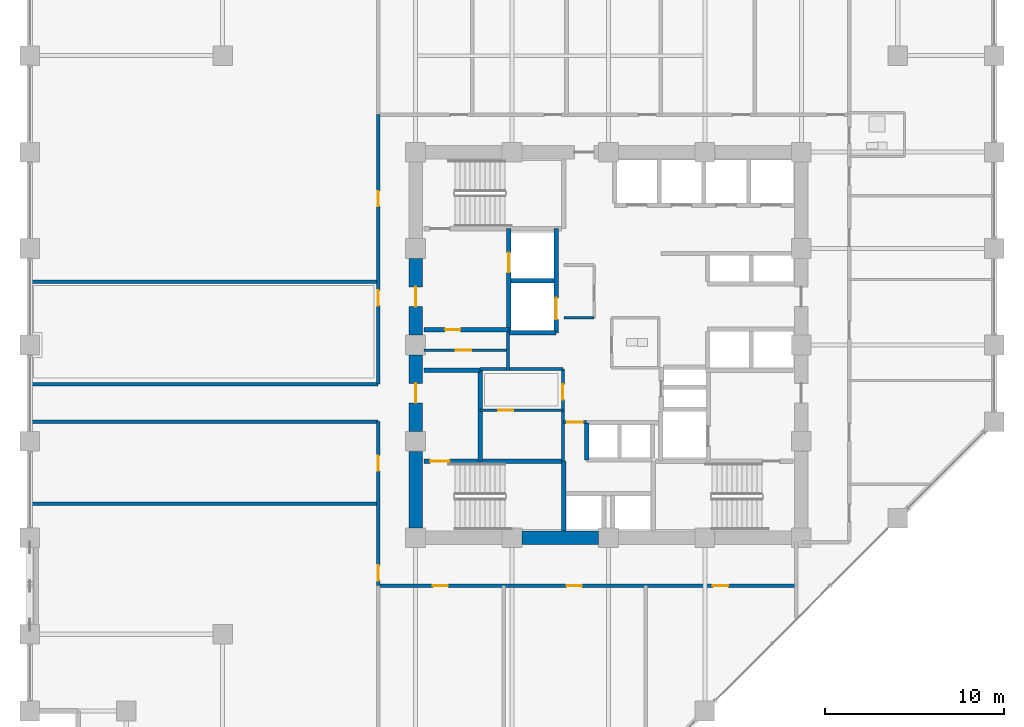
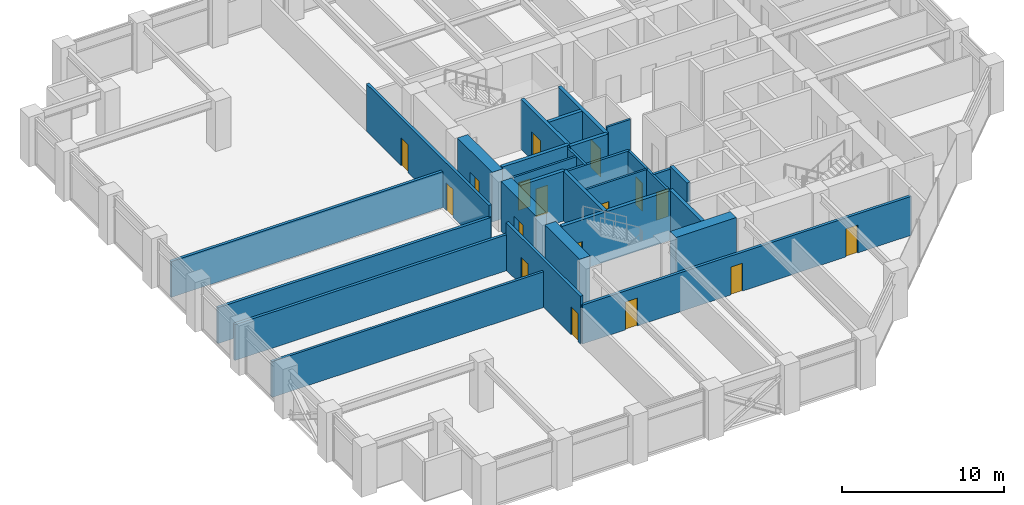
# One storey, part 19 of 25: 28 walls, 17 doors, 17 openings.
"""IFC4 building model written with IfcOpenShell, lengths in metres."""

from ifc_helpers import new_model, si_unit, direction, frame, frame_2d, origin, place, context, subcontext, project, spatial, rectangle, extrude, material, layer, layer_set, type_object, element, fill, save


model = new_model("IFC4")

# Units and contexts
model_context = context("Model", 3, precision=1e-05, world=origin(), true_north=direction((0.0, 1.0)))
body_context = subcontext(model_context, "Body", "Model", "MODEL_VIEW")
ifc_project = project(units=[si_unit("LENGTHUNIT", "METRE"), si_unit("AREAUNIT", "SQUARE_METRE"), si_unit("VOLUMEUNIT", "CUBIC_METRE"), si_unit("PLANEANGLEUNIT", "RADIAN"), si_unit("MASSUNIT", "GRAM", prefix="KILO")], contexts=[model_context])

# Site, building, storey
site_placement = place(None, origin())
site = spatial("IfcSite", under=ifc_project, at=site_placement, CompositionType="ELEMENT")
building_placement = place(site_placement, origin())
building = spatial("IfcBuilding", under=site, at=building_placement, Name="Surkhivell Harbour Commons", CompositionType="ELEMENT")
storey_placement = place(building_placement, frame((0.0, 0.0, 124.5)))
storey = spatial("IfcBuildingStorey", under=building, at=storey_placement, Name="L32", CompositionType="ELEMENT", Elevation=124.5)

# Walls
ifc_material_1 = material(Name="Concrete C60/75", Category="concrete")
ifc_layer_1 = layer(ifc_material_1, 0.75)
ifc_layer_set_1 = layer_set([ifc_layer_1], Name="Concrete C60/75")
wall_type_1 = type_object("IfcWallType", Name="WAL-CORE-750", PredefinedType="SHEAR", material=ifc_layer_set_1)
for number, where, z_axis, x_axis, name in (
    (1, (-10.800048828125, -10.239990234375, 0.0), (0.0, 0.0, 1.0), (0.0, 1.0, 0.0), "L32 Core Shear Wall West 1"),
    (2, (-4.840087890625, -10.800048828125, 0.0), (0.0, 0.0, 1.0), (1.0, 0.0, 0.0), "L32 Core Shear Wall South 2"),
):
    element("IfcWall", number, at=place(storey_placement, frame(where, z_axis=z_axis, x_axis=x_axis)), inside=storey, type_object=wall_type_1, Name=name, PredefinedType="SHEAR", context=body_context, shape_type="SweptSolid", body=[
        extrude(rectangle(XDim=4.280029296875, YDim=0.75, at=frame_2d((2.14013671875, 0.0))), origin(), (0.0, 0.0, 1.0), 3.75),
    ])

# Wall, opening, door
wall_1_placement = place(storey_placement, frame((-10.800048828125, -4.840087890625, 0.0), z_axis=(0.0, 0.0, 1.0), x_axis=(0.0, 1.0, 0.0)))
wall_1 = element("IfcWall", 3, at=wall_1_placement, inside=storey, type_object=wall_type_1, Name="L32 Core Shear Wall West 2", PredefinedType="SHEAR", context=body_context, shape_type="SweptSolid", body=[
    extrude(rectangle(XDim=4.280029296875, YDim=0.75, at=frame_2d((2.14013671875, 0.0))), origin(), (0.0, 0.0, 1.0), 3.75),
])
opening_1_placement = place(wall_1_placement, frame((1.590087890625, 0.0, 0.0)))
opening_1 = element("IfcOpeningElement", 4, at=opening_1_placement, cuts=wall_1, Name="Opening ID-2", PredefinedType="OPENING", context=body_context, shape_type="SweptSolid", body=[
    extrude(rectangle(XDim=1.10009765625, YDim=2.10009765625, at=frame_2d((0.550048828125, 1.050048828125))), frame((0.0, 0.385009765625, 0.0), z_axis=(0.0, -1.0, 0.0), x_axis=(1.0, 0.0, 0.0)), (0.0, 0.0, 1.0), 0.77001953125),
])
ifc_material_2 = material(Name="Hardwood-veneered fire-rated door leaf", Category="wood")
door_type_1 = type_object("IfcDoorType", Name="DOR-FD60-1100", OperationType="NOTDEFINED", PredefinedType="DOOR", material=ifc_material_2)
door_1_placement = place(opening_1_placement, origin())
door_1 = element("IfcDoor", 5, at=door_1_placement, inside=storey, type_object=door_type_1, Name="L32 Stair 3 Lobby Corridor Door", OperationType="SINGLE_SWING_LEFT", OverallHeight=2.10009765625, OverallWidth=1.10009765625, PredefinedType="DOOR", context=body_context, shape_type="SweptSolid", body=[
    extrude(rectangle(XDim=1.10009765625, YDim=2.10009765625, at=frame_2d((0.550048828125, 1.050048828125))), frame((0.0, 0.02490234375, 0.0), z_axis=(0.0, -1.0, 0.0), x_axis=(1.0, 0.0, 0.0)), (0.0, 0.0, 1.0), 0.050048828125),
])
fill(opening_1, door_1)

wall_2_placement = place(storey_placement, frame((-10.800048828125, 0.56005859375, 0.0), z_axis=(0.0, 0.0, 1.0), x_axis=(0.0, 1.0, 0.0)))
wall_2 = element("IfcWall", 6, at=wall_2_placement, inside=storey, type_object=wall_type_1, Name="L32 Core Shear Wall West 3", PredefinedType="SHEAR", context=body_context, shape_type="SweptSolid", body=[
    extrude(rectangle(XDim=4.280029296875, YDim=0.75, at=frame_2d((2.14013671875, 0.0))), origin(), (0.0, 0.0, 1.0), 3.75),
])
opening_2_placement = place(wall_2_placement, frame((1.590087890625, 0.0, 0.0)))
opening_2 = element("IfcOpeningElement", 7, at=opening_2_placement, cuts=wall_2, Name="Opening ID-1", PredefinedType="OPENING", context=body_context, shape_type="SweptSolid", body=[
    extrude(rectangle(XDim=1.10009765625, YDim=2.10009765625, at=frame_2d((0.550048828125, 1.050048828125))), frame((0.0, 0.385009765625, 0.0), z_axis=(0.0, -1.0, 0.0), x_axis=(1.0, 0.0, 0.0)), (0.0, 0.0, 1.0), 0.77001953125),
])
door_type_2 = type_object("IfcDoorType", Name="DOR-FD120-1100", OperationType="NOTDEFINED", PredefinedType="DOOR", material=ifc_material_2)
door_2_placement = place(opening_2_placement, origin())
door_2 = element("IfcDoor", 8, at=door_2_placement, inside=storey, type_object=door_type_2, Name="L32 Firefighting Lobby 1 Corridor Door", OperationType="SINGLE_SWING_LEFT", OverallHeight=2.10009765625, OverallWidth=1.10009765625, PredefinedType="DOOR", context=body_context, shape_type="SweptSolid", body=[
    extrude(rectangle(XDim=1.10009765625, YDim=2.10009765625, at=frame_2d((0.550048828125, 1.050048828125))), frame((0.0, 0.02490234375, 0.0), z_axis=(0.0, -1.0, 0.0), x_axis=(1.0, 0.0, 0.0)), (0.0, 0.0, 1.0), 0.050048828125),
])
fill(opening_2, door_2)

ifc_material_3 = material(Name="Twin-stud acoustic fireboard partition", Category="other")
ifc_layer_2 = layer(ifc_material_3, 0.14990234375)
ifc_layer_set_2 = layer_set([ifc_layer_2], Name="Twin-stud acoustic fireboard partition")
wall_type_2 = type_object("IfcWallType", Name="WAL-INT-150", PredefinedType="PARTITIONING", material=ifc_layer_set_2)
wall_3_placement = place(storey_placement, frame((-7.179931640625, -3.64990234375, 0.0), z_axis=(0.0, 0.0, 1.0), x_axis=(1.0, 0.0, 0.0)))
wall_3 = element("IfcWall", 9, at=wall_3_placement, inside=storey, type_object=wall_type_2, Name="L32 Core Cut C1 Partition", PredefinedType="PARTITIONING", context=body_context, shape_type="SweptSolid", body=[
    extrude(rectangle(XDim=4.6298828125, YDim=0.14990234375, at=frame_2d((2.31494140625, 0.0))), origin(), (0.0, 0.0, 1.0), 3.570068359375),
])
opening_3_placement = place(wall_3_placement, frame((1.0, 0.0, 0.0)))
opening_3 = element("IfcOpeningElement", 10, at=opening_3_placement, cuts=wall_3, Name="Opening ID-6", PredefinedType="OPENING", context=body_context, shape_type="SweptSolid", body=[
    extrude(rectangle(XDim=0.85009765625, YDim=2.10009765625, at=frame_2d((0.425048828125, 1.050048828125))), frame((0.0, 0.0849609375, 0.0), z_axis=(0.0, -1.0, 0.0), x_axis=(1.0, 0.0, 0.0)), (0.0, 0.0, 1.0), 0.169921875),
])
door_type_3 = type_object("IfcDoorType", Name="DOR-FD30-850", OperationType="NOTDEFINED", PredefinedType="DOOR", material=ifc_material_2)
door_3_placement = place(opening_3_placement, origin())
door_3 = element("IfcDoor", 11, at=door_3_placement, inside=storey, type_object=door_type_3, Name="L32 Cleaner Room Door", OperationType="SINGLE_SWING_LEFT", OverallHeight=2.10009765625, OverallWidth=0.85009765625, PredefinedType="DOOR", context=body_context, shape_type="SweptSolid", body=[
    extrude(rectangle(XDim=0.85009765625, YDim=2.10009765625, at=frame_2d((0.425048828125, 1.050048828125))), frame((0.0, 0.02490234375, 0.0), z_axis=(0.0, -1.0, 0.0), x_axis=(1.0, 0.0, 0.0)), (0.0, 0.0, 1.0), 0.050048828125),
])
fill(opening_3, door_3)

wall_4_placement = place(storey_placement, frame((-10.340087890625, -0.2900390625, 0.0), z_axis=(0.0, 0.0, 1.0), x_axis=(1.0, 0.0, 0.0)))
wall_4 = element("IfcWall", 12, at=wall_4_placement, inside=storey, type_object=wall_type_2, Name="L32 West Core Horizontal Cut", PredefinedType="PARTITIONING", context=body_context, shape_type="SweptSolid", body=[
    extrude(rectangle(XDim=4.719970703125, YDim=0.14990234375, at=frame_2d((2.35986328125, 0.0))), origin(), (0.0, 0.0, 1.0), 3.570068359375),
])
opening_4_placement = place(wall_4_placement, frame((1.800048828125, 0.0, 0.0)))
opening_4 = element("IfcOpeningElement", 13, at=opening_4_placement, cuts=wall_4, Name="Opening ID-6", PredefinedType="OPENING", context=body_context, shape_type="SweptSolid", body=[
    extrude(rectangle(XDim=0.85009765625, YDim=2.10009765625, at=frame_2d((0.425048828125, 1.050048828125))), frame((0.0, 0.0849609375, 0.0), z_axis=(0.0, -1.0, 0.0), x_axis=(1.0, 0.0, 0.0)), (0.0, 0.0, 1.0), 0.169921875),
])
door_4_placement = place(opening_4_placement, origin())
door_4 = element("IfcDoor", 14, at=door_4_placement, inside=storey, type_object=door_type_3, Name="L32 West Music Pod Door", OperationType="SINGLE_SWING_RIGHT", OverallHeight=2.10009765625, OverallWidth=0.85009765625, PredefinedType="DOOR", context=body_context, shape_type="SweptSolid", body=[
    extrude(rectangle(XDim=0.85009765625, YDim=2.10009765625, at=frame_2d((0.425048828125, 1.050048828125))), frame((0.0, 0.02490234375, 0.0), z_axis=(0.0, -1.0, 0.0), x_axis=(1.0, 0.0, 0.0)), (0.0, 0.0, 1.0), 0.050048828125),
])
fill(opening_4, door_4)

# Wall
wall_5_placement = place(storey_placement, frame((-2.47998046875, 1.52001953125, 0.0), z_axis=(0.0, 0.0, 1.0), x_axis=(1.0, 0.0, 0.0)))
element("IfcWall", 15, at=wall_5_placement, inside=storey, type_object=wall_type_2, Name="L32 Core Seminar South Wall", PredefinedType="PARTITIONING", context=body_context, shape_type="SweptSolid", body=[
    extrude(rectangle(XDim=1.679931640625, YDim=0.14990234375, at=frame_2d((0.83984375, 0.0))), origin(), (0.0, 0.0, 1.0), 3.570068359375),
])

# Wall, opening, door
ifc_material_4 = material(Name="High-density acoustic blockwork fire partition", Category="masonry")
ifc_layer_3 = layer(ifc_material_4, 0.175048828125)
ifc_layer_set_3 = layer_set([ifc_layer_3], Name="High-density acoustic blockwork fire partition")
wall_type_3 = type_object("IfcWallType", Name="WAL-INT-175", PredefinedType="PARTITIONING", material=ifc_layer_set_3)
wall_6_placement = place(storey_placement, frame((-2.550048828125, -6.510009765625, 0.0), z_axis=(0.0, 0.0, 1.0), x_axis=(0.0, 1.0, 0.0)))
wall_6 = element("IfcWall", 16, at=wall_6_placement, inside=storey, type_object=wall_type_3, Name="L32 Core Service Bay East Wall", PredefinedType="PARTITIONING", context=body_context, shape_type="SweptSolid", body=[
    extrude(rectangle(XDim=5.159912109375, YDim=0.175048828125, at=frame_2d((2.580078125, 0.0))), origin(), (0.0, 0.0, 1.0), 3.570068359375),
])
opening_5_placement = place(wall_6_placement, frame((3.449951171875, 0.0, 0.0)))
opening_5 = element("IfcOpeningElement", 17, at=opening_5_placement, cuts=wall_6, Name="Opening ID-6", PredefinedType="OPENING", context=body_context, shape_type="SweptSolid", body=[
    extrude(rectangle(XDim=0.85009765625, YDim=2.10009765625, at=frame_2d((0.425048828125, 1.050048828125))), frame((0.0, 0.097412109375, 0.0), z_axis=(0.0, -1.0, 0.0), x_axis=(1.0, 0.0, 0.0)), (0.0, 0.0, 1.0), 0.195068359375),
])
door_5_placement = place(opening_5_placement, origin())
door_5 = element("IfcDoor", 18, at=door_5_placement, inside=storey, type_object=door_type_3, Name="L32 Core Seminar Door", OperationType="SINGLE_SWING_LEFT", OverallHeight=2.10009765625, OverallWidth=0.85009765625, PredefinedType="DOOR", context=body_context, shape_type="SweptSolid", body=[
    extrude(rectangle(XDim=0.85009765625, YDim=2.10009765625, at=frame_2d((0.425048828125, 1.050048828125))), frame((0.0, 0.02490234375, 0.0), z_axis=(0.0, -1.0, 0.0), x_axis=(1.0, 0.0, 0.0)), (0.0, 0.0, 1.0), 0.050048828125),
])
fill(opening_5, door_5)

# Walls
wall_7_placement = place(storey_placement, frame((-7.179931640625, -1.35009765625, 0.0), z_axis=(0.0, 0.0, 1.0), x_axis=(1.0, 0.0, 0.0)))
element("IfcWall", 19, at=wall_7_placement, inside=storey, type_object=wall_type_3, Name="L32 Core Service Bay North Wall", PredefinedType="PARTITIONING", context=body_context, shape_type="SweptSolid", body=[
    extrude(rectangle(XDim=4.6298828125, YDim=0.175048828125, at=frame_2d((2.31494140625, 0.0))), origin(), (0.0, 0.0, 1.0), 3.570068359375),
])
wall_8_placement = place(storey_placement, frame((-5.6201171875, -1.419921875, 0.0), z_axis=(0.0, 0.0, 1.0), x_axis=(0.0, 1.0, 0.0)))
element("IfcWall", 20, at=wall_8_placement, inside=storey, type_object=wall_type_3, Name="L32 West Core Bay East Wall", PredefinedType="PARTITIONING", context=body_context, shape_type="SweptSolid", body=[
    extrude(rectangle(XDim=2.139892578125, YDim=0.175048828125, at=frame_2d((1.06982421875, 0.0))), origin(), (0.0, 0.0, 1.0), 3.570068359375),
])

# Wall, opening, door
wall_9_placement = place(storey_placement, frame((-2.52001953125, -4.320068359375, 0.0), z_axis=(0.0, 0.0, 1.0), x_axis=(1.0, 0.0, 0.0)))
wall_9 = element("IfcWall", 21, at=wall_9_placement, inside=storey, type_object=wall_type_3, Name="L32 High-Rise Lobby North Portal Wall", PredefinedType="PARTITIONING", context=body_context, shape_type="SweptSolid", body=[
    extrude(rectangle(XDim=1.300048828125, YDim=0.175048828125, at=frame_2d((0.64990234375, 0.0))), origin(), (0.0, 0.0, 1.0), 3.570068359375),
])
opening_6_placement = place(wall_9_placement, frame((0.219970703125, 0.0, 0.0)))
opening_6 = element("IfcOpeningElement", 22, at=opening_6_placement, cuts=wall_9, Name="Opening ID-6", PredefinedType="OPENING", context=body_context, shape_type="SweptSolid", body=[
    extrude(rectangle(XDim=0.85009765625, YDim=2.10009765625, at=frame_2d((0.425048828125, 1.050048828125))), frame((0.0, 0.097412109375, 0.0), z_axis=(0.0, -1.0, 0.0), x_axis=(1.0, 0.0, 0.0)), (0.0, 0.0, 1.0), 0.195068359375),
])
door_6_placement = place(opening_6_placement, origin())
door_6 = element("IfcDoor", 23, at=door_6_placement, inside=storey, type_object=door_type_3, Name="L32 High-Rise Lift Lobby North Door", OperationType="SINGLE_SWING_LEFT", OverallHeight=2.10009765625, OverallWidth=0.85009765625, PredefinedType="DOOR", context=body_context, shape_type="SweptSolid", body=[
    extrude(rectangle(XDim=0.85009765625, YDim=2.10009765625, at=frame_2d((0.425048828125, 1.050048828125))), frame((0.0, 0.02490234375, 0.0), z_axis=(0.0, -1.0, 0.0), x_axis=(1.0, 0.0, 0.0)), (0.0, 0.0, 1.0), 0.050048828125),
])
fill(opening_6, door_6)

# Wall
wall_10_placement = place(storey_placement, frame((-32.340087890625, -8.889892578125, 0.0), z_axis=(0.0, 0.0, 1.0), x_axis=(1.0, 0.0, 0.0)))
element("IfcWall", 24, at=wall_10_placement, inside=storey, type_object=wall_type_3, Name="L32 South-West Partition P1", PredefinedType="PARTITIONING", context=body_context, shape_type="SweptSolid", body=[
    extrude(rectangle(XDim=19.440185546875, YDim=0.175048828125, at=frame_2d((9.72021484375, 0.0))), origin(), (0.0, 0.0, 1.0), 2.698974609375),
])

# Wall, openings, doors
ifc_material_5 = material(Name="Autoclaved aerated concrete blockwork and fire plaster", Category="masonry")
ifc_layer_4 = layer(ifc_material_5, 0.199951171875)
ifc_layer_set_4 = layer_set([ifc_layer_4], Name="Autoclaved aerated concrete blockwork and fire plaster")
wall_type_4 = type_object("IfcWallType", Name="WAL-INT-200", PredefinedType="PARTITIONING", material=ifc_layer_set_4)
wall_11_placement = place(storey_placement, frame((-12.89990234375, -13.47998046875, 0.0), z_axis=(0.0, 0.0, 1.0), x_axis=(1.0, 0.0, 0.0)))
wall_11 = element("IfcWall", 25, at=wall_11_placement, inside=storey, type_object=wall_type_4, Name="L32 Corridor South Wall", PredefinedType="PARTITIONING", context=body_context, shape_type="SweptSolid", body=[
    extrude(rectangle(XDim=23.419921875, YDim=0.199951171875, at=frame_2d((11.7099609375, 0.0))), origin(), (0.0, 0.0, 1.0), 2.93310546875),
])
opening_7_placement = place(wall_11_placement, frame((3.06494140625, 0.0, 0.0)))
opening_7 = element("IfcOpeningElement", 26, at=opening_7_placement, cuts=wall_11, Name="Opening ID-6", PredefinedType="OPENING", context=body_context, shape_type="SweptSolid", body=[
    extrude(rectangle(XDim=0.85009765625, YDim=2.10009765625, at=frame_2d((0.425048828125, 1.050048828125))), frame((0.0, 0.10986328125, 0.0), z_axis=(0.0, -1.0, 0.0), x_axis=(1.0, 0.0, 0.0)), (0.0, 0.0, 1.0), 0.219970703125),
])
opening_8_placement = place(wall_11_placement, frame((10.56005859375, 0.0, 0.0)))
opening_8 = element("IfcOpeningElement", 27, at=opening_8_placement, cuts=wall_11, Name="Opening ID-6", PredefinedType="OPENING", context=body_context, shape_type="SweptSolid", body=[
    extrude(rectangle(XDim=0.85009765625, YDim=2.10009765625, at=frame_2d((0.425048828125, 1.050048828125))), frame((0.0, 0.10986328125, 0.0), z_axis=(0.0, -1.0, 0.0), x_axis=(1.0, 0.0, 0.0)), (0.0, 0.0, 1.0), 0.219970703125),
])
opening_9_placement = place(wall_11_placement, frame((18.7548828125, 0.0, 0.0)))
opening_9 = element("IfcOpeningElement", 28, at=opening_9_placement, cuts=wall_11, Name="Opening ID-6", PredefinedType="OPENING", context=body_context, shape_type="SweptSolid", body=[
    extrude(rectangle(XDim=0.85009765625, YDim=2.10009765625, at=frame_2d((0.425048828125, 1.050048828125))), frame((0.0, 0.10986328125, 0.0), z_axis=(0.0, -1.0, 0.0), x_axis=(1.0, 0.0, 0.0)), (0.0, 0.0, 1.0), 0.219970703125),
])
door_7_placement = place(opening_7_placement, origin())
door_7 = element("IfcDoor", 29, at=door_7_placement, inside=storey, type_object=door_type_3, Name="L32 Resident Tutor Staff Room 1 South Door", OperationType="SINGLE_SWING_LEFT", OverallHeight=2.10009765625, OverallWidth=0.85009765625, PredefinedType="DOOR", context=body_context, shape_type="SweptSolid", body=[
    extrude(rectangle(XDim=0.85009765625, YDim=2.10009765625, at=frame_2d((0.425048828125, 1.050048828125))), frame((0.0, 0.02490234375, 0.0), z_axis=(0.0, -1.0, 0.0), x_axis=(1.0, 0.0, 0.0)), (0.0, 0.0, 1.0), 0.050048828125),
])
fill(opening_7, door_7)
door_8_placement = place(opening_8_placement, origin())
door_8 = element("IfcDoor", 30, at=door_8_placement, inside=storey, type_object=door_type_3, Name="L32 Resident Warden Staff Office 2 South Door", OperationType="SINGLE_SWING_RIGHT", OverallHeight=2.10009765625, OverallWidth=0.85009765625, PredefinedType="DOOR", context=body_context, shape_type="SweptSolid", body=[
    extrude(rectangle(XDim=0.85009765625, YDim=2.10009765625, at=frame_2d((0.425048828125, 1.050048828125))), frame((0.0, 0.02490234375, 0.0), z_axis=(0.0, -1.0, 0.0), x_axis=(1.0, 0.0, 0.0)), (0.0, 0.0, 1.0), 0.050048828125),
])
fill(opening_8, door_8)
door_9_placement = place(opening_9_placement, origin())
door_9 = element("IfcDoor", 31, at=door_9_placement, inside=storey, type_object=door_type_3, Name="L32 Campus Bursar Staff Office 3 South Door", OperationType="SINGLE_SWING_LEFT", OverallHeight=2.10009765625, OverallWidth=0.85009765625, PredefinedType="DOOR", context=body_context, shape_type="SweptSolid", body=[
    extrude(rectangle(XDim=0.85009765625, YDim=2.10009765625, at=frame_2d((0.425048828125, 1.050048828125))), frame((0.0, 0.02490234375, 0.0), z_axis=(0.0, -1.0, 0.0), x_axis=(1.0, 0.0, 0.0)), (0.0, 0.0, 1.0), 0.050048828125),
])
fill(opening_9, door_9)

# Walls
for number, where, z_axis, x_axis, name in (
    (32, (-32.340087890625, -2.199951171875, 0.0), (0.0, 0.0, 1.0), (1.0, 0.0, 0.0), "L32 West Alcove North Wall"),
    (33, (-32.340087890625, -4.300048828125, 0.0), (0.0, 0.0, 1.0), (1.0, 0.0, 0.0), "L32 West Alcove South Wall"),
):
    element("IfcWall", number, at=place(storey_placement, frame(where, z_axis=z_axis, x_axis=x_axis)), inside=storey, type_object=wall_type_4, Name=name, PredefinedType="PARTITIONING", context=body_context, shape_type="SweptSolid", body=[
        extrude(rectangle(XDim=19.440185546875, YDim=0.199951171875, at=frame_2d((9.72021484375, 0.0))), origin(), (0.0, 0.0, 1.0), 2.698974609375),
    ])

# Wall, openings, doors
wall_12_placement = place(storey_placement, frame((-12.89990234375, -2.199951171875, 0.0), z_axis=(0.0, 0.0, 1.0), x_axis=(0.0, 1.0, 0.0)))
wall_12 = element("IfcWall", 34, at=wall_12_placement, inside=storey, type_object=wall_type_4, Name="L32 Corridor West-Upper Wall", PredefinedType="PARTITIONING", context=body_context, shape_type="SweptSolid", body=[
    extrude(rectangle(XDim=15.099853515625, YDim=0.199951171875, at=frame_2d((7.5498046875, 0.0))), origin(), (0.0, 0.0, 1.0), 3.570068359375),
])
opening_10_placement = place(wall_12_placement, frame((4.40380859375, 0.0, 0.0)))
opening_10 = element("IfcOpeningElement", 35, at=opening_10_placement, cuts=wall_12, Name="Opening ID-6", PredefinedType="OPENING", context=body_context, shape_type="SweptSolid", body=[
    extrude(rectangle(XDim=0.85009765625, YDim=2.10009765625, at=frame_2d((0.425048828125, 1.050048828125))), frame((0.0, 0.10986328125, 0.0), z_axis=(0.0, -1.0, 0.0), x_axis=(1.0, 0.0, 0.0)), (0.0, 0.0, 1.0), 0.219970703125),
])
opening_11_placement = place(wall_12_placement, frame((9.969970703125, 0.0, 0.0)))
opening_11 = element("IfcOpeningElement", 36, at=opening_11_placement, cuts=wall_12, Name="Opening ID-6", PredefinedType="OPENING", context=body_context, shape_type="SweptSolid", body=[
    extrude(rectangle(XDim=0.85009765625, YDim=2.10009765625, at=frame_2d((0.425048828125, 1.050048828125))), frame((0.0, 0.10986328125, 0.0), z_axis=(0.0, -1.0, 0.0), x_axis=(1.0, 0.0, 0.0)), (0.0, 0.0, 1.0), 0.219970703125),
])
door_10_placement = place(opening_10_placement, origin())
door_10 = element("IfcDoor", 37, at=door_10_placement, inside=storey, type_object=door_type_3, Name="L32 Harbour Reading Library North-West Door", OperationType="SINGLE_SWING_RIGHT", OverallHeight=2.10009765625, OverallWidth=0.85009765625, PredefinedType="DOOR", context=body_context, shape_type="SweptSolid", body=[
    extrude(rectangle(XDim=0.85009765625, YDim=2.10009765625, at=frame_2d((0.425048828125, 1.050048828125))), frame((0.0, 0.02490234375, 0.0), z_axis=(0.0, -1.0, 0.0), x_axis=(1.0, 0.0, 0.0)), (0.0, 0.0, 1.0), 0.050048828125),
])
fill(opening_10, door_10)
door_11_placement = place(opening_11_placement, origin())
door_11 = element("IfcDoor", 38, at=door_11_placement, inside=storey, type_object=door_type_3, Name="L32 Communal Dining Hall North-West Door", OperationType="SINGLE_SWING_LEFT", OverallHeight=2.10009765625, OverallWidth=0.85009765625, PredefinedType="DOOR", context=body_context, shape_type="SweptSolid", body=[
    extrude(rectangle(XDim=0.85009765625, YDim=2.10009765625, at=frame_2d((0.425048828125, 1.050048828125))), frame((0.0, 0.02490234375, 0.0), z_axis=(0.0, -1.0, 0.0), x_axis=(1.0, 0.0, 0.0)), (0.0, 0.0, 1.0), 0.050048828125),
])
fill(opening_11, door_11)

wall_13_placement = place(storey_placement, frame((-12.89990234375, -13.47998046875, 0.0), z_axis=(0.0, 0.0, 1.0), x_axis=(0.0, 1.0, 0.0)))
wall_13 = element("IfcWall", 39, at=wall_13_placement, inside=storey, type_object=wall_type_4, Name="L32 Corridor West-Lower Wall", PredefinedType="PARTITIONING", context=body_context, shape_type="SweptSolid", body=[
    extrude(rectangle(XDim=9.179931640625, YDim=0.199951171875, at=frame_2d((4.58984375, 0.0))), origin(), (0.0, 0.0, 1.0), 3.570068359375),
])
opening_12_placement = place(wall_13_placement, frame((0.280029296875, 0.0, 0.0)))
opening_12 = element("IfcOpeningElement", 40, at=opening_12_placement, cuts=wall_13, Name="Opening ID-6", PredefinedType="OPENING", context=body_context, shape_type="SweptSolid", body=[
    extrude(rectangle(XDim=0.85009765625, YDim=2.10009765625, at=frame_2d((0.425048828125, 1.050048828125))), frame((0.0, 0.10986328125, 0.0), z_axis=(0.0, -1.0, 0.0), x_axis=(1.0, 0.0, 0.0)), (0.0, 0.0, 1.0), 0.219970703125),
])
opening_13_placement = place(wall_13_placement, frame((6.43505859375, 0.0, 0.0)))
opening_13 = element("IfcOpeningElement", 41, at=opening_13_placement, cuts=wall_13, Name="Opening ID-6", PredefinedType="OPENING", context=body_context, shape_type="SweptSolid", body=[
    extrude(rectangle(XDim=0.85009765625, YDim=2.10009765625, at=frame_2d((0.425048828125, 1.050048828125))), frame((0.0, 0.10986328125, 0.0), z_axis=(0.0, -1.0, 0.0), x_axis=(1.0, 0.0, 0.0)), (0.0, 0.0, 1.0), 0.219970703125),
])
door_12_placement = place(opening_12_placement, origin())
door_12 = element("IfcDoor", 42, at=door_12_placement, inside=storey, type_object=door_type_3, Name="L32 Campus Co-Op Bookshop South-West Door", OperationType="SINGLE_SWING_RIGHT", OverallHeight=2.10009765625, OverallWidth=0.85009765625, PredefinedType="DOOR", context=body_context, shape_type="SweptSolid", body=[
    extrude(rectangle(XDim=0.85009765625, YDim=2.10009765625, at=frame_2d((0.425048828125, 1.050048828125))), frame((0.0, 0.02490234375, 0.0), z_axis=(0.0, -1.0, 0.0), x_axis=(1.0, 0.0, 0.0)), (0.0, 0.0, 1.0), 0.050048828125),
])
fill(opening_12, door_12)
door_13_placement = place(opening_13_placement, origin())
door_13 = element("IfcDoor", 43, at=door_13_placement, inside=storey, type_object=door_type_3, Name="L32 Harbour Espresso Cafe Shop South-West Door", OperationType="SINGLE_SWING_LEFT", OverallHeight=2.10009765625, OverallWidth=0.85009765625, PredefinedType="DOOR", context=body_context, shape_type="SweptSolid", body=[
    extrude(rectangle(XDim=0.85009765625, YDim=2.10009765625, at=frame_2d((0.425048828125, 1.050048828125))), frame((0.0, 0.02490234375, 0.0), z_axis=(0.0, -1.0, 0.0), x_axis=(1.0, 0.0, 0.0)), (0.0, 0.0, 1.0), 0.050048828125),
])
fill(opening_13, door_13)

# Wall
wall_14_placement = place(storey_placement, frame((-32.340087890625, 3.5400390625, 0.0), z_axis=(0.0, 0.0, 1.0), x_axis=(1.0, 0.0, 0.0)))
element("IfcWall", 44, at=wall_14_placement, inside=storey, type_object=wall_type_4, Name="L32 North-West Partition P1", PredefinedType="PARTITIONING", context=body_context, shape_type="SweptSolid", body=[
    extrude(rectangle(XDim=19.440185546875, YDim=0.199951171875, at=frame_2d((9.72021484375, 0.0))), origin(), (0.0, 0.0, 1.0), 2.698974609375),
])

# Wall, opening, door
ifc_material_6 = material(Name="Concrete C50/60", Category="concrete")
ifc_layer_5 = layer(ifc_material_6, 0.25)
ifc_layer_set_5 = layer_set([ifc_layer_5], Name="Concrete C50/60")
wall_type_5 = type_object("IfcWallType", Name="WAL-SHAFT-250", PredefinedType="SHEAR", material=ifc_layer_set_5)
wall_15_placement = place(storey_placement, frame((-5.580078125, 0.719970703125, 0.0), z_axis=(0.0, 0.0, 1.0), x_axis=(0.0, 1.0, 0.0)))
wall_15 = element("IfcWall", 45, at=wall_15_placement, inside=storey, type_object=wall_type_5, Name="L32 Firefighting Lobby 1 East Shaft Wall", PredefinedType="SHEAR", context=body_context, shape_type="SweptSolid", body=[
    extrude(rectangle(XDim=5.7900390625, YDim=0.25, at=frame_2d((2.89501953125, 0.0))), origin(), (0.0, 0.0, 1.0), 3.75),
])
opening_14_placement = place(wall_15_placement, frame((3.35009765625, 0.0, 0.0)))
opening_14 = element("IfcOpeningElement", 46, at=opening_14_placement, cuts=wall_15, Name="Opening LD-1", PredefinedType="OPENING", context=body_context, shape_type="SweptSolid", body=[
    extrude(rectangle(XDim=1.10009765625, YDim=2.10009765625, at=frame_2d((0.550048828125, 1.050048828125))), frame((0.0, 0.135009765625, 0.0), z_axis=(0.0, -1.0, 0.0), x_axis=(1.0, 0.0, 0.0)), (0.0, 0.0, 1.0), 0.27001953125),
])
ifc_material_7 = material(Name="Brushed stainless steel S355", Category="steel")
door_type_4 = type_object("IfcDoorType", Name="DOR-LD-1100", OperationType="SLIDING_TO_LEFT", PredefinedType="DOOR", material=ifc_material_7)
door_14_placement = place(opening_14_placement, origin())
door_14 = element("IfcDoor", 47, at=door_14_placement, inside=storey, type_object=door_type_4, Name="L32 Lift Landing Door LD-FFL1", OperationType="SLIDING_TO_LEFT", OverallHeight=2.10009765625, OverallWidth=1.10009765625, PredefinedType="DOOR", context=body_context, shape_type="SweptSolid", body=[
    extrude(rectangle(XDim=1.10009765625, YDim=2.10009765625, at=frame_2d((0.550048828125, 1.050048828125))), frame((0.0, 0.02490234375, 0.0), z_axis=(0.0, -1.0, 0.0), x_axis=(1.0, 0.0, 0.0)), (0.0, 0.0, 1.0), 0.050048828125),
])
fill(opening_14, door_14)

wall_16_placement = place(storey_placement, frame((-10.340087890625, 0.85009765625, 0.0), z_axis=(0.0, 0.0, 1.0), x_axis=(1.0, 0.0, 0.0)))
wall_16 = element("IfcWall", 48, at=wall_16_placement, inside=storey, type_object=wall_type_5, Name="L32 Firefighting Lobby 1 South Wall", PredefinedType="SHEAR", context=body_context, shape_type="SweptSolid", body=[
    extrude(rectangle(XDim=4.760009765625, YDim=0.25, at=frame_2d((2.3798828125, 0.0))), origin(), (0.0, 0.0, 1.0), 3.75),
])
opening_15_placement = place(wall_16_placement, frame((1.199951171875, 0.0, 0.0)))
opening_15 = element("IfcOpeningElement", 49, at=opening_15_placement, cuts=wall_16, Name="Opening ID-6", PredefinedType="OPENING", context=body_context, shape_type="SweptSolid", body=[
    extrude(rectangle(XDim=0.85009765625, YDim=2.10009765625, at=frame_2d((0.425048828125, 1.050048828125))), frame((0.0, 0.135009765625, 0.0), z_axis=(0.0, -1.0, 0.0), x_axis=(1.0, 0.0, 0.0)), (0.0, 0.0, 1.0), 0.27001953125),
])
door_15_placement = place(opening_15_placement, origin())
door_15 = element("IfcDoor", 50, at=door_15_placement, inside=storey, type_object=door_type_3, Name="L32 West Reading Alcove Door", OperationType="SINGLE_SWING_LEFT", OverallHeight=2.10009765625, OverallWidth=0.85009765625, PredefinedType="DOOR", context=body_context, shape_type="SweptSolid", body=[
    extrude(rectangle(XDim=0.85009765625, YDim=2.10009765625, at=frame_2d((0.425048828125, 1.050048828125))), frame((0.0, 0.02490234375, 0.0), z_axis=(0.0, -1.0, 0.0), x_axis=(1.0, 0.0, 0.0)), (0.0, 0.0, 1.0), 0.050048828125),
])
fill(opening_15, door_15)

# Walls
wall_17_placement = place(storey_placement, frame((-1.219970703125, -6.43994140625, 0.0), z_axis=(0.0, 0.0, 1.0), x_axis=(0.0, 1.0, 0.0)))
element("IfcWall", 51, at=wall_17_placement, inside=storey, type_object=wall_type_5, Name="L32 High-Rise Passage East Shaft Wall", PredefinedType="SHEAR", context=body_context, shape_type="SweptSolid", body=[
    extrude(rectangle(XDim=2.079833984375, YDim=0.25, at=frame_2d((1.0400390625, 0.0))), origin(), (0.0, 0.0, 1.0), 3.75),
])
wall_18_placement = place(storey_placement, frame((-2.510009765625, -10.425048828125, 0.0), z_axis=(0.0, 0.0, 1.0), x_axis=(0.0, 1.0, 0.0)))
element("IfcWall", 52, at=wall_18_placement, inside=storey, type_object=wall_type_5, Name="L32 Stair ST3 East Shear Wall", PredefinedType="SHEAR", context=body_context, shape_type="SweptSolid", body=[
    extrude(rectangle(XDim=3.9150390625, YDim=0.25, at=frame_2d((1.95751953125, 0.0))), origin(), (0.0, 0.0, 1.0), 3.75),
])
wall_19_placement = place(storey_placement, frame((-7.179931640625, -6.510009765625, 0.0), z_axis=(0.0, 0.0, 1.0), x_axis=(0.0, 1.0, 0.0)))
element("IfcWall", 53, at=wall_19_placement, inside=storey, type_object=wall_type_5, Name="L32 Stair 3 Lobby East Wall", PredefinedType="SHEAR", context=body_context, shape_type="SweptSolid", body=[
    extrude(rectangle(XDim=5.090087890625, YDim=0.25, at=frame_2d((2.544921875, 0.0))), origin(), (0.0, 0.0, 1.0), 3.75),
])
wall_20_placement = place(storey_placement, frame((-10.340087890625, -1.419921875, 0.0), z_axis=(0.0, 0.0, 1.0), x_axis=(1.0, 0.0, 0.0)))
element("IfcWall", 54, at=wall_20_placement, inside=storey, type_object=wall_type_5, Name="L32 Stair 3 Lobby North Wall", PredefinedType="SHEAR", context=body_context, shape_type="SweptSolid", body=[
    extrude(rectangle(XDim=3.16015625, YDim=0.25, at=frame_2d((1.580078125, 0.0))), origin(), (0.0, 0.0, 1.0), 3.75),
])

# Wall, opening, door
wall_21_placement = place(storey_placement, frame((-10.340087890625, -6.510009765625, 0.0), z_axis=(0.0, 0.0, 1.0), x_axis=(1.0, 0.0, 0.0)))
wall_21 = element("IfcWall", 55, at=wall_21_placement, inside=storey, type_object=wall_type_5, Name="L32 Stair ST3 North Shear Wall", PredefinedType="SHEAR", context=body_context, shape_type="SweptSolid", body=[
    extrude(rectangle(XDim=7.7001953125, YDim=0.25, at=frame_2d((3.85009765625, 0.0))), origin(), (0.0, 0.0, 1.0), 3.75),
])
opening_16_placement = place(wall_21_placement, frame((0.35009765625, 0.0, 0.0)))
opening_16 = element("IfcOpeningElement", 56, at=opening_16_placement, cuts=wall_21, Name="Opening ID-2", PredefinedType="OPENING", context=body_context, shape_type="SweptSolid", body=[
    extrude(rectangle(XDim=1.10009765625, YDim=2.10009765625, at=frame_2d((0.550048828125, 1.050048828125))), frame((0.0, 0.135009765625, 0.0), z_axis=(0.0, -1.0, 0.0), x_axis=(1.0, 0.0, 0.0)), (0.0, 0.0, 1.0), 0.27001953125),
])
door_16_placement = place(opening_16_placement, origin())
door_16 = element("IfcDoor", 57, at=door_16_placement, inside=storey, type_object=door_type_1, Name="L32 Stair ST3 Exit Door", OperationType="SINGLE_SWING_RIGHT", OverallHeight=2.10009765625, OverallWidth=1.10009765625, PredefinedType="DOOR", context=body_context, shape_type="SweptSolid", body=[
    extrude(rectangle(XDim=1.10009765625, YDim=2.10009765625, at=frame_2d((0.550048828125, 1.050048828125))), frame((0.0, 0.02490234375, 0.0), z_axis=(0.0, -1.0, 0.0), x_axis=(1.0, 0.0, 0.0)), (0.0, 0.0, 1.0), 0.050048828125),
])
fill(opening_16, door_16)

wall_22_placement = place(storey_placement, frame((-2.929931640625, 0.679931640625, 0.0), z_axis=(0.0, 0.0, 1.0), x_axis=(0.0, 1.0, 0.0)))
wall_22 = element("IfcWall", 58, at=wall_22_placement, inside=storey, type_object=wall_type_5, Name="L32 Service and Fire Lift East Shaft Wall", PredefinedType="SHEAR", context=body_context, shape_type="SweptSolid", body=[
    extrude(rectangle(XDim=5.830078125, YDim=0.25, at=frame_2d((2.9150390625, 0.0))), origin(), (0.0, 0.0, 1.0), 3.75),
])
opening_17_placement = place(wall_22_placement, frame((0.75, 0.0, 0.0)))
opening_17 = element("IfcOpeningElement", 59, at=opening_17_placement, cuts=wall_22, Name="Opening LD-2", PredefinedType="OPENING", context=body_context, shape_type="SweptSolid", body=[
    extrude(rectangle(XDim=1.199951171875, YDim=2.10009765625, at=frame_2d((0.60009765625, 1.050048828125))), frame((0.0, 0.135009765625, 0.0), z_axis=(0.0, -1.0, 0.0), x_axis=(1.0, 0.0, 0.0)), (0.0, 0.0, 1.0), 0.27001953125),
])
door_type_5 = type_object("IfcDoorType", Name="DOR-LD-1200", OperationType="SLIDING_TO_LEFT", PredefinedType="DOOR", material=ifc_material_7)
door_17_placement = place(opening_17_placement, origin())
door_17 = element("IfcDoor", 60, at=door_17_placement, inside=storey, type_object=door_type_5, Name="L32 Lift Landing Door LD-SVL1", OperationType="SLIDING_TO_LEFT", OverallHeight=2.10009765625, OverallWidth=1.199951171875, PredefinedType="DOOR", context=body_context, shape_type="SweptSolid", body=[
    extrude(rectangle(XDim=1.199951171875, YDim=2.10009765625, at=frame_2d((0.60009765625, 1.050048828125))), frame((0.0, 0.02490234375, 0.0), z_axis=(0.0, -1.0, 0.0), x_axis=(1.0, 0.0, 0.0)), (0.0, 0.0, 1.0), 0.050048828125),
])
fill(opening_17, door_17)

# Walls
wall_23_placement = place(storey_placement, frame((-5.449951171875, 3.60009765625, 0.0), z_axis=(0.0, 0.0, 1.0), x_axis=(1.0, 0.0, 0.0)))
element("IfcWall", 61, at=wall_23_placement, inside=storey, type_object=wall_type_5, Name="L32 FFL1/SVL1 Shaft Divider", PredefinedType="SHEAR", context=body_context, shape_type="SweptSolid", body=[
    extrude(rectangle(XDim=2.389892578125, YDim=0.25, at=frame_2d((1.19482421875, 0.0))), origin(), (0.0, 0.0, 1.0), 3.75),
])
wall_24_placement = place(storey_placement, frame((-5.580078125, 0.679931640625, 0.0), z_axis=(0.0, 0.0, 1.0), x_axis=(1.0, 0.0, 0.0)))
element("IfcWall", 62, at=wall_24_placement, inside=storey, type_object=wall_type_5, Name="L32 SVL1 South Shaft Wall", PredefinedType="SHEAR", context=body_context, shape_type="SweptSolid", body=[
    extrude(rectangle(XDim=2.650146484375, YDim=0.25, at=frame_2d((1.3251953125, 0.0))), origin(), (0.0, 0.0, 1.0), 3.75),
])

save(model, "model.ifc")
